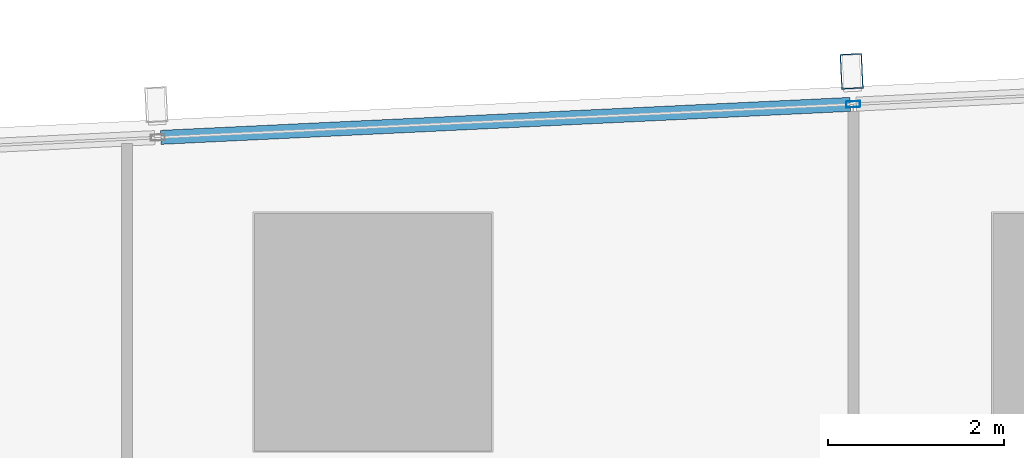
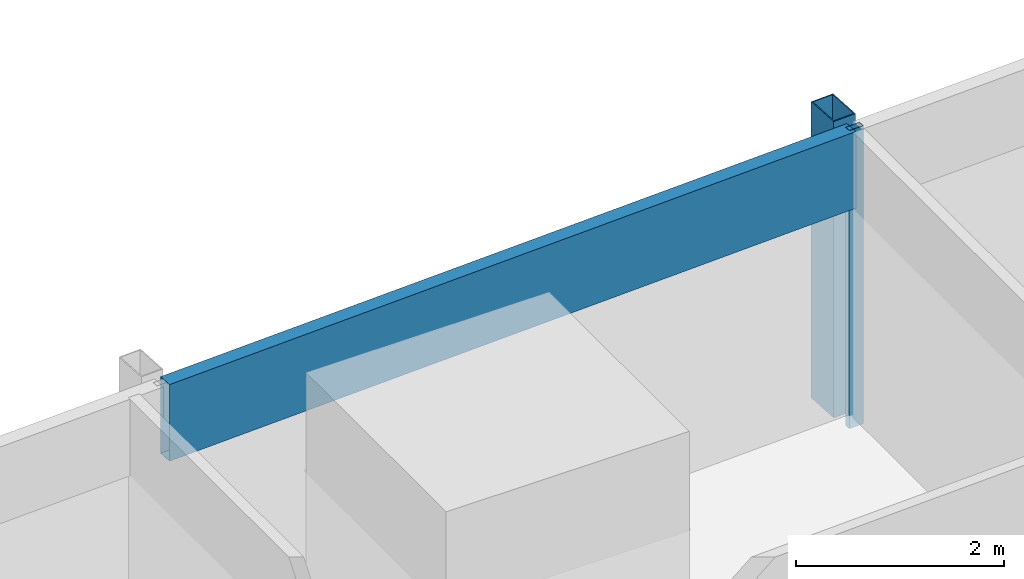
# One storey, part 17 of 36: 3 members, 1 element without a shape of its own.
"""IFC4 building model written with IfcOpenShell, lengths in metres."""

from ifc_helpers import new_model, si_unit, direction, frame, origin, origin_2d, place, context, subcontext, project, spatial, hollow_rectangle, extrude, material, material_profile, profile_set, type_object, element, aggregate, save


model = new_model("IFC4")

# Units and contexts
model_context = context("Model", 3, precision=1e-05, world=origin(), true_north=direction((0.0, 1.0)))
body_context = subcontext(model_context, "Body", "Model", "MODEL_VIEW")
ifc_project = project(units=[si_unit("LENGTHUNIT", "METRE"), si_unit("AREAUNIT", "SQUARE_METRE"), si_unit("VOLUMEUNIT", "CUBIC_METRE"), si_unit("PLANEANGLEUNIT", "RADIAN"), si_unit("MASSUNIT", "GRAM", prefix="KILO")], contexts=[model_context])

# Site, building, storey
site_placement = place(None, origin())
site = spatial("IfcSite", under=ifc_project, at=site_placement, CompositionType="ELEMENT")
building_placement = place(site_placement, origin())
building = spatial("IfcBuilding", under=site, at=building_placement, Name="Rekha Terrace Tower", CompositionType="ELEMENT")
storey_placement = place(building_placement, frame((0.0, 0.0, 172.699951171875)))
storey = spatial("IfcBuildingStorey", under=building, at=storey_placement, Name="L43", CompositionType="ELEMENT", Elevation=172.699951171875)

# Curtain wall, members
ifc_material_1 = material(Name="Aluminium framing", Category="aluminium")
curtain_wall_type = type_object("IfcCurtainWallType", Name="CW3 north unitised glazing", PredefinedType="USERDEFINED", material=ifc_material_1)
curtain_wall_placement = place(storey_placement, origin())
curtain_wall = element("IfcCurtainWall", 1, at=curtain_wall_placement, inside=storey, type_object=curtain_wall_type, Name="CW3 unitised curtain wall", ObjectType="UNITISED CURTAIN WALL", PredefinedType="USERDEFINED")
ifc_material_2 = material(Name="Steel S355 with fluorocarbon finish", Category="steel")
ifc_material_profile_1 = material_profile(ifc_material_2, hollow_rectangle(XDim=0.25, YDim=0.39990234375, WallThickness=0.012451171875, at=origin_2d()), Name="RHS400x250x12.5")
ifc_profile_set_1 = profile_set([ifc_material_profile_1], Name="Steel S355 with fluorocarbon finish")
member_type_1 = type_object("IfcMemberType", Name="BL1 facade blade RHS 400 x 250", PredefinedType="USERDEFINED", material=ifc_profile_set_1)
member_1_placement = place(storey_placement, frame((30.643310546875, 61.767578125, 0.02001953125), z_axis=(0.0, 0.0, 1.0), x_axis=(-0.998858913274, -0.04775846913, 0.0)))
member_1 = element("IfcMember", 2, at=member_1_placement, type_object=member_type_1, Name="Facade blade", ObjectType="FACADE BLADE", PredefinedType="USERDEFINED", context=body_context, shape_type="SweptSolid", body=[
    extrude(hollow_rectangle(XDim=0.25, YDim=0.39990234375, WallThickness=0.012451171875, at=origin_2d()), origin(), (0.0, 0.0, 1.0), 3.47998046875),
])
ifc_material_3 = material(Name="Aluminium mullion section", Category="aluminium")
ifc_material_profile_2 = material_profile(ifc_material_3, hollow_rectangle(XDim=0.070068359375, YDim=0.159912109375, WallThickness=0.00390625, at=origin_2d()), Name="AL RHS 70x160")
ifc_profile_set_2 = profile_set([ifc_material_profile_2], Name="Aluminium mullion section")
member_type_2 = type_object("IfcMemberType", Name="CW3 mullion RHS 70 x 160", PredefinedType="MULLION", material=ifc_profile_set_2)
member_2_placement = place(storey_placement, frame((30.6611328125, 61.39306640625, 0.0), z_axis=(0.0, 0.0, 1.0), x_axis=(0.047758616983, -0.998858906204, 0.0)))
member_2 = element("IfcMember", 3, at=member_2_placement, type_object=member_type_2, Name="CW3 mullion 3", PredefinedType="MULLION", context=body_context, shape_type="SweptSolid", body=[
    extrude(hollow_rectangle(XDim=0.070068359375, YDim=0.159912109375, WallThickness=0.00390625, at=origin_2d()), origin(), (0.0, 0.0, 1.0), 3.5),
])
ifc_material_4 = material(Name="Insulated aluminium spandrel box", Category="aluminium")
ifc_material_profile_3 = material_profile(ifc_material_4, hollow_rectangle(XDim=0.159912109375, YDim=0.89990234375, WallThickness=0.0029296875, at=origin_2d()), Name="AL SPANDREL BOX 160x900")
ifc_profile_set_3 = profile_set([ifc_material_profile_3], Name="Insulated aluminium spandrel box")
member_type_3 = type_object("IfcMemberType", Name="CW3 spandrel transom 160 x 900", PredefinedType="USERDEFINED", material=ifc_profile_set_3)
member_3_placement = place(storey_placement, frame((30.626220703125, 61.391357421875, 3.050048828125), z_axis=(-0.998859323292, -0.047749892907, 0.0), x_axis=(0.047749892907, -0.998859323292, 0.0)))
member_3 = element("IfcMember", 4, at=member_3_placement, type_object=member_type_3, Name="CW3 spandrel transom 3", ObjectType="TRANSOM", PredefinedType="USERDEFINED", context=body_context, shape_type="SweptSolid", body=[
    extrude(hollow_rectangle(XDim=0.159912109375, YDim=0.89990234375, WallThickness=0.0029296875, at=origin_2d()), origin(), (0.0, 0.0, 1.0), 7.848388671875),
])
aggregate(curtain_wall, [member_2, member_3, member_1])

save(model, "model.ifc")
